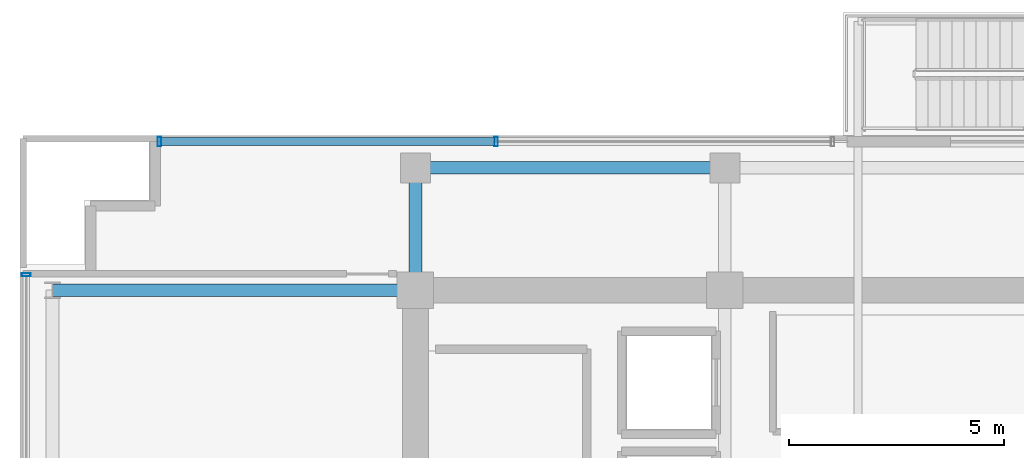
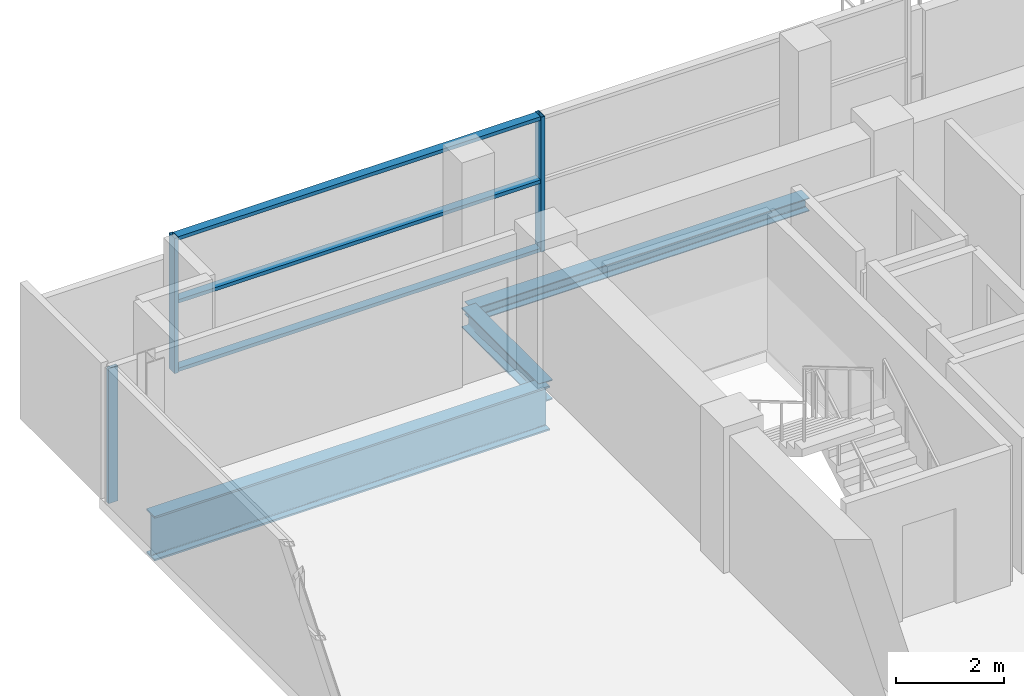
# One storey, part 12 of 24: 6 members, 3 beams, 2 elements without a shape of their own.
"""IFC4 building model written with IfcOpenShell, lengths in metres."""

from ifc_helpers import new_model, si_unit, direction, frame, origin, origin_2d, place, context, subcontext, project, spatial, hollow_rectangle, i_section, extrude, source, transform, mapped, material, layer, layer_set, material_profile, profile_set, type_object, element, aggregate, save


model = new_model("IFC4")

# Units and contexts
model_context = context("Model", 3, precision=1e-05, world=origin(), true_north=direction((0.0, 1.0)))
body_context = subcontext(model_context, "Body", "Model", "MODEL_VIEW")
ifc_project = project(units=[si_unit("LENGTHUNIT", "METRE"), si_unit("AREAUNIT", "SQUARE_METRE"), si_unit("VOLUMEUNIT", "CUBIC_METRE"), si_unit("PLANEANGLEUNIT", "RADIAN"), si_unit("MASSUNIT", "GRAM", prefix="KILO")], contexts=[model_context])

# Site, building, storey
site_placement = place(None, origin())
site = spatial("IfcSite", under=ifc_project, at=site_placement, CompositionType="ELEMENT")
building_placement = place(site_placement, origin())
building = spatial("IfcBuilding", under=site, at=building_placement, Name="Zarnakvel Exchange Tower", CompositionType="ELEMENT")
storey_placement = place(building_placement, frame((0.0, 0.0, 205.60009765625)))
storey = spatial("IfcBuildingStorey", under=building, at=storey_placement, Name="L57", CompositionType="ELEMENT", Elevation=205.60009765625)

# Beams
ifc_material_1 = material(Name="Steel S355", Category="steel")
ifc_material_profile_1 = material_profile(ifc_material_1, i_section(OverallWidth=0.300048828125, OverallDepth=0.449951171875, WebThickness=0.013916015625, FlangeThickness=0.02587890625, FilletRadius=0.027099609375, at=origin_2d()))
ifc_profile_set_1 = profile_set([ifc_material_profile_1], Name="Steel S355")
beam_type_1 = type_object("IfcBeamType", Name="G-07", PredefinedType="BEAM", material=ifc_profile_set_1)
beam_1_placement = place(storey_placement, frame((-14.39990234375, 13.5, -0.47509765625), z_axis=(0.0, 1.0, 0.0), x_axis=(-1.0, 0.0, 0.0)))
element("IfcBeam", 1, at=beam_1_placement, inside=storey, type_object=beam_type_1, Name="L57 Tower N-S Frame Beam", PredefinedType="BEAM", context=body_context, shape_type="SweptSolid", body=[
    extrude(i_section(OverallWidth=0.300048828125, OverallDepth=0.449951171875, WebThickness=0.013916015625, FlangeThickness=0.02587890625, FilletRadius=0.027099609375, at=origin_2d()), origin(), (0.0, 0.0, 1.0), 2.85009765625),
])
ifc_material_profile_2 = material_profile(ifc_material_1, i_section(OverallWidth=0.300048828125, OverallDepth=0.300048828125, WebThickness=0.010986328125, FlangeThickness=0.01904296875, FilletRadius=0.027099609375, at=origin_2d()))
ifc_profile_set_2 = profile_set([ifc_material_profile_2], Name="Steel S355")
beam_type_2 = type_object("IfcBeamType", Name="SP-03", PredefinedType="SPANDREL", material=ifc_profile_set_2)
beam_2_placement = place(storey_placement, frame((-14.39990234375, 16.35009765625, -0.400146484375), z_axis=(1.0, 0.0, 0.0), x_axis=(0.0, 1.0, 0.0)))
element("IfcBeam", 2, at=beam_2_placement, inside=storey, type_object=beam_type_2, Name="L57 Tower E-W Frame Beam", PredefinedType="SPANDREL", context=body_context, shape_type="SweptSolid", body=[
    extrude(i_section(OverallWidth=0.300048828125, OverallDepth=0.300048828125, WebThickness=0.010986328125, FlangeThickness=0.01904296875, FilletRadius=0.027099609375, at=origin_2d()), origin(), (0.0, 0.0, 1.0), 7.199951171875),
])
ifc_material_2 = material(Name="Steel S460", Category="steel")
ifc_material_profile_3 = material_profile(ifc_material_2, i_section(OverallWidth=0.302001953125, OverallDepth=1.008056640625, WebThickness=0.02099609375, FlangeThickness=0.0400390625, FilletRadius=0.030029296875, at=origin_2d()))
ifc_profile_set_3 = profile_set([ifc_material_profile_3], Name="Steel S460")
beam_type_3 = type_object("IfcBeamType", Name="TG-05", PredefinedType="BEAM", material=ifc_profile_set_3)
beam_3_placement = place(storey_placement, frame((-22.85009765625, 13.5, -0.754150390625), z_axis=(1.0, 0.0, 0.0), x_axis=(0.0, 1.0, 0.0)))
element("IfcBeam", 3, at=beam_3_placement, inside=storey, type_object=beam_type_3, Name="L57 Block-Shift Continuous Transfer TW-F", PredefinedType="BEAM", context=body_context, shape_type="SweptSolid", body=[
    extrude(i_section(OverallWidth=0.302001953125, OverallDepth=1.008056640625, WebThickness=0.02099609375, FlangeThickness=0.0400390625, FilletRadius=0.030029296875, at=origin_2d()), origin(), (0.0, 0.0, 1.0), 8.4501953125),
])

# Curtain wall, member
ifc_material_3 = material(Name="Architectural Bronze Anodised Aluminium", Category="aluminium")
ifc_layer_1 = layer(ifc_material_3, 0.199951171875)
ifc_layer_set_1 = layer_set([ifc_layer_1], Name="Architectural Bronze Anodised Aluminium")
curtain_wall_type_1 = type_object("IfcCurtainWallType", Name="CW-04", PredefinedType="NOTDEFINED", material=ifc_layer_set_1)
curtain_wall_1_placement = place(storey_placement, origin())
curtain_wall_1 = element("IfcCurtainWall", 4, at=curtain_wall_1_placement, inside=storey, type_object=curtain_wall_type_1, Name="L57 Curtain Wall CW-L57-W1 (CW-04)", PredefinedType="NOTDEFINED")
ifc_material_profile_4 = material_profile(ifc_material_3, hollow_rectangle(XDim=0.199951171875, YDim=0.074951171875, WallThickness=0.0048828125, at=origin_2d()))
ifc_profile_set_4 = profile_set([ifc_material_profile_4], Name="Architectural Bronze Anodised Aluminium")
member_type_1 = type_object("IfcMemberType", Name="CWM-04", PredefinedType="MULLION", material=ifc_profile_set_4)
shared_shape_1 = source(origin(), body_context, "Body", "SweptSolid", [
    extrude(hollow_rectangle(XDim=0.199951171875, YDim=0.074951171875, WallThickness=0.0048828125, at=origin_2d()), origin(), (0.0, 0.0, 1.0), 3.054931640625),
])
member_1_placement = place(storey_placement, frame((-23.4599609375, 13.862548828125, 0.0), z_axis=(0.0, 0.0, 1.0), x_axis=(-1.0, 0.0, 0.0)))
member_1 = element("IfcMember", 5, at=member_1_placement, type_object=member_type_1, Name="CW-04 mullion 5", PredefinedType="MULLION", context=body_context, shape_type="MappedRepresentation", body=[
    mapped(shared_shape_1, transform((0.0, 0.0, 0.0), x_axis=(1.0, 0.0, 0.0), y_axis=(0.0, 1.0, 0.0), z_axis=(0.0, 0.0, 1.0), scale=1.0)),
])
aggregate(curtain_wall_1, [member_1])

# Curtain wall, members
ifc_layer_2 = layer(ifc_material_3, 0.219970703125)
ifc_layer_set_2 = layer_set([ifc_layer_2], Name="Architectural Bronze Anodised Aluminium")
curtain_wall_type_2 = type_object("IfcCurtainWallType", Name="CW-03", PredefinedType="NOTDEFINED", material=ifc_layer_set_2)
curtain_wall_2_placement = place(storey_placement, origin())
curtain_wall_2 = element("IfcCurtainWall", 6, at=curtain_wall_2_placement, inside=storey, type_object=curtain_wall_type_2, Name="L57 Curtain Wall CW-L57-N1 (CW-03)", PredefinedType="NOTDEFINED")
ifc_material_profile_5 = material_profile(ifc_material_3, hollow_rectangle(XDim=0.219970703125, YDim=0.080078125, WallThickness=0.0048828125, at=origin_2d()))
ifc_profile_set_5 = profile_set([ifc_material_profile_5], Name="Architectural Bronze Anodised Aluminium")
member_type_2 = type_object("IfcMemberType", Name="CWM-03", PredefinedType="MULLION", material=ifc_profile_set_5)
shared_shape_2 = source(origin(), body_context, "Body", "SweptSolid", [
    extrude(hollow_rectangle(XDim=0.219970703125, YDim=0.080078125, WallThickness=0.0048828125, at=origin_2d()), origin(), (0.0, 0.0, 1.0), 3.054931640625),
])
member_2_placement = place(storey_placement, frame((-20.360107421875, 16.9599609375, 0.0), z_axis=(0.0, 0.0, 1.0), x_axis=(0.0, 1.0, 0.0)))
member_2 = element("IfcMember", 7, at=member_2_placement, type_object=member_type_2, Name="CW-03 mullion 1", PredefinedType="MULLION", context=body_context, shape_type="MappedRepresentation", body=[
    mapped(shared_shape_2, transform((0.0, 0.0, 0.0), x_axis=(1.0, 0.0, 0.0), y_axis=(0.0, 1.0, 0.0), z_axis=(0.0, 0.0, 1.0), scale=1.0)),
])
member_3_placement = place(storey_placement, frame((-12.52490234375, 16.9599609375, 0.0), z_axis=(0.0, 0.0, 1.0), x_axis=(0.0, 1.0, 0.0)))
member_3 = element("IfcMember", 8, at=member_3_placement, type_object=member_type_2, Name="CW-03 mullion 2", PredefinedType="MULLION", context=body_context, shape_type="MappedRepresentation", body=[
    mapped(shared_shape_2, transform((0.0, 0.0, 0.0), x_axis=(1.0, 0.0, 0.0), y_axis=(0.0, 1.0, 0.0), z_axis=(0.0, 0.0, 1.0), scale=1.0)),
])
ifc_material_profile_6 = material_profile(ifc_material_3, hollow_rectangle(XDim=0.179931640625, YDim=0.080078125, WallThickness=0.00390625, at=origin_2d()))
ifc_profile_set_6 = profile_set([ifc_material_profile_6], Name="Architectural Bronze Anodised Aluminium")
member_type_3 = type_object("IfcMemberType", Name="CWT-03", PredefinedType="USERDEFINED", material=ifc_profile_set_6)
shared_shape_3 = source(origin(), body_context, "Body", "SweptSolid", [
    extrude(hollow_rectangle(XDim=0.179931640625, YDim=0.080078125, WallThickness=0.00390625, at=origin_2d()), origin(), (0.0, 0.0, 1.0), 7.755126953125),
])
member_4_placement = place(storey_placement, frame((-20.320068359375, 16.9599609375, 0.039794921875), z_axis=(1.0, 0.0, 0.0), x_axis=(0.0, 1.0, 0.0)))
member_4 = element("IfcMember", 9, at=member_4_placement, type_object=member_type_3, Name="CW-03 transom 1.1", ObjectType="TRANSOM", PredefinedType="USERDEFINED", context=body_context, shape_type="MappedRepresentation", body=[
    mapped(shared_shape_3, transform((0.0, 0.0, 0.0), x_axis=(1.0, 0.0, 0.0), y_axis=(0.0, 1.0, 0.0), z_axis=(0.0, 0.0, 1.0), scale=1.0)),
])
member_5_placement = place(storey_placement, frame((-20.320068359375, 16.9599609375, 1.588623046875), z_axis=(1.0, 0.0, 0.0), x_axis=(0.0, 1.0, 0.0)))
member_5 = element("IfcMember", 10, at=member_5_placement, type_object=member_type_3, Name="CW-03 transom 1.2", ObjectType="TRANSOM", PredefinedType="USERDEFINED", context=body_context, shape_type="MappedRepresentation", body=[
    mapped(shared_shape_3, transform((0.0, 0.0, 0.0), x_axis=(1.0, 0.0, 0.0), y_axis=(0.0, 1.0, 0.0), z_axis=(0.0, 0.0, 1.0), scale=1.0)),
])
member_6_placement = place(storey_placement, frame((-20.320068359375, 16.9599609375, 3.014892578125), z_axis=(1.0, 0.0, 0.0), x_axis=(0.0, 1.0, 0.0)))
member_6 = element("IfcMember", 11, at=member_6_placement, type_object=member_type_3, Name="CW-03 transom 1.3", ObjectType="TRANSOM", PredefinedType="USERDEFINED", context=body_context, shape_type="MappedRepresentation", body=[
    mapped(shared_shape_3, transform((0.0, 0.0, 0.0), x_axis=(1.0, 0.0, 0.0), y_axis=(0.0, 1.0, 0.0), z_axis=(0.0, 0.0, 1.0), scale=1.0)),
])
aggregate(curtain_wall_2, [member_2, member_3, member_4, member_5, member_6])

save(model, "model.ifc")
